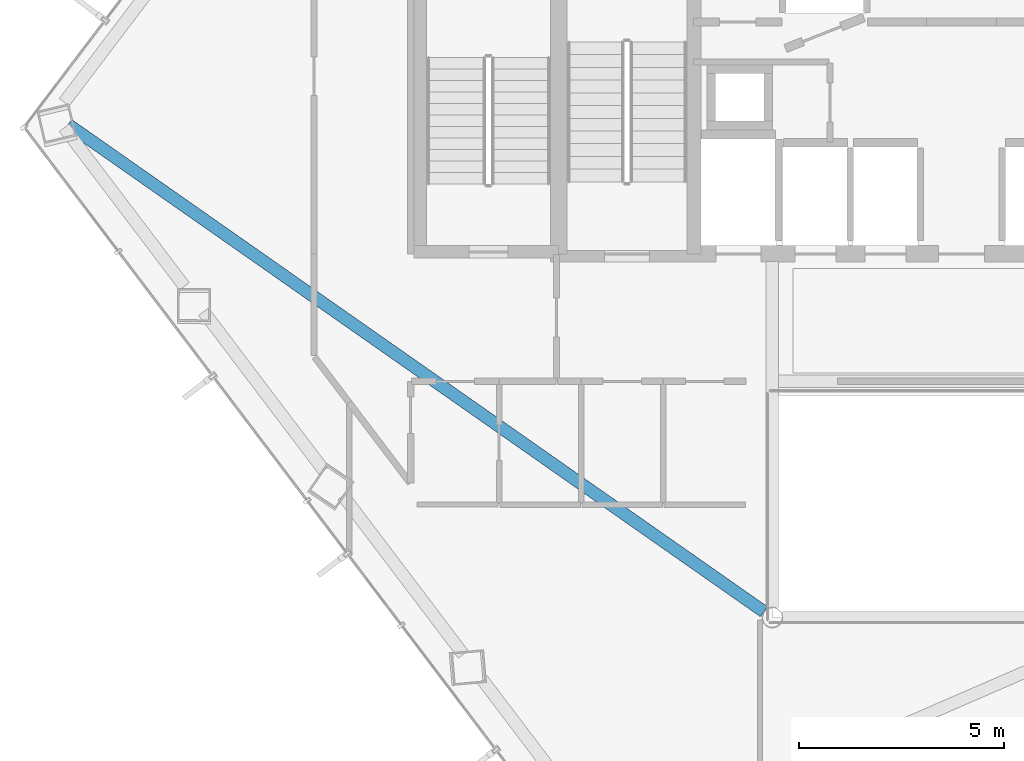
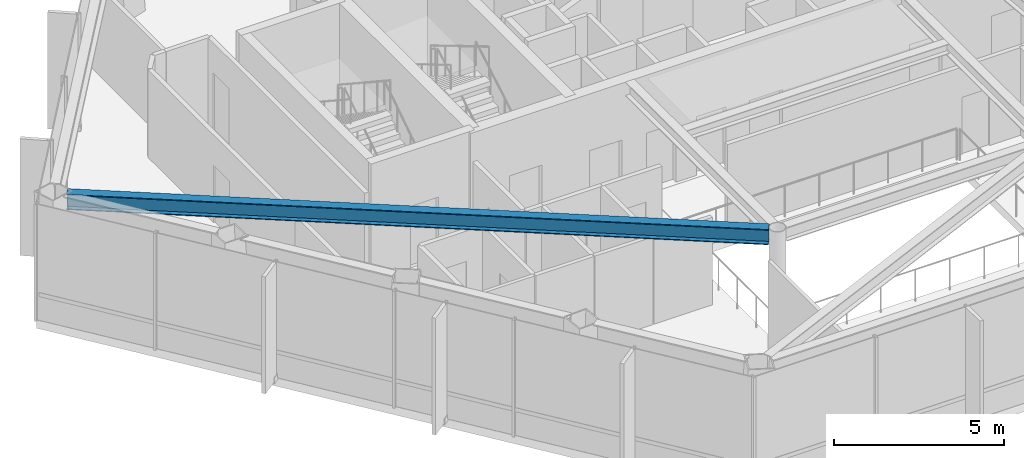
# One storey, part 5 of 25: 1 beam.
"""IFC4 building model written with IfcOpenShell, lengths in metres."""

import ifcopenshell
import ifcopenshell.guid

model = None  # the IFC model being written
_history = None  # IfcOwnerHistory: only IFC2X3 demands one
_inside = {}  # id of a spatial element -> (the spatial element, [elements in it])
_under = {}  # id of a project, library or spatial element -> (it, [spatial elements below it])
_declared = {}  # id of a project -> (the project, [libraries it declares])
_typed = {}  # id of a type object -> (the type object, [elements of that type])
_made_of = {}  # id of a material, layer set ... -> (it, [elements and type objects made of it])


def new_model(schema):
    """Start an empty IFC model of exactly this schema.

    Asked for "IFC4X3", IfcOpenShell would pick the latest addendum, in which some entities
    have other attributes; the version numbers below select the first issue.
    IFC2X3 requires an IfcOwnerHistory on every rooted entity: one is made here for all.
    """
    global model, _history
    if schema == "IFC4X3":
        model = ifcopenshell.file(schema_version=(4, 3, 0, 0))
    else:
        model = ifcopenshell.file(schema=schema)
    _inside.clear()
    _under.clear()
    _declared.clear()
    _typed.clear()
    _made_of.clear()
    _history = None
    if model.schema == "IFC2X3":
        org = make("IfcOrganization", Name="unknown")
        user = make(
            "IfcPersonAndOrganization",
            ThePerson=make("IfcPerson", FamilyName="unknown"),
            TheOrganization=org,
        )
        app = make(
            "IfcApplication",
            ApplicationDeveloper=org,
            Version="unknown",
            ApplicationFullName="unknown",
            ApplicationIdentifier="unknown",
        )
        _history = make(
            "IfcOwnerHistory",
            OwningUser=user,
            OwningApplication=app,
            ChangeAction="ADDED",
            CreationDate=0,
        )
    return model


def make(cls, **values):
    """One entity of the class cls with the attributes given. An attribute that is None is left unset."""
    return model.create_entity(
        cls, **{name: value for name, value in values.items() if value is not None}
    )


def rooted(cls, **values):
    """An entity with a GlobalId (a new one), such as an element, a storey or a relation."""
    return make(cls, GlobalId=ifcopenshell.guid.new(), OwnerHistory=_history, **values)


def si_unit(unit_type, name, prefix=None):
    """IfcSIUnit, for example si_unit("LENGTHUNIT", "METRE", prefix="MILLI")."""
    return make("IfcSIUnit", UnitType=unit_type, Prefix=prefix, Name=name)


def assignment(units):
    """IfcUnitAssignment: the units of a project."""
    return None if units is None else make("IfcUnitAssignment", Units=units)


def point(xyz):
    """IfcCartesianPoint."""
    return None if xyz is None else make("IfcCartesianPoint", Coordinates=xyz)


def direction(xyz):
    """IfcDirection."""
    return None if xyz is None else make("IfcDirection", DirectionRatios=xyz)


def frame(location, z_axis=None, x_axis=None):
    """IfcAxis2Placement3D, a coordinate frame: its origin and axes. An axis left out is left unset."""
    return make(
        "IfcAxis2Placement3D",
        Location=point(location),
        Axis=direction(z_axis),
        RefDirection=direction(x_axis),
    )


def frame_2d(location, x_axis=None):
    """IfcAxis2Placement2D, a coordinate frame in the plane: its origin and x axis."""
    return make(
        "IfcAxis2Placement2D", Location=point(location), RefDirection=direction(x_axis)
    )


def origin():
    """The frame at (0, 0, 0) with its axes left unset."""
    return frame((0.0, 0.0, 0.0))


def origin_2d():
    """The frame at (0, 0) in the plane with its x axis left unset."""
    return frame_2d((0.0, 0.0))


def place(relative_to, where):
    """IfcLocalPlacement: puts the frame where relative to a parent placement (None: the world)."""
    return make(
        "IfcLocalPlacement", PlacementRelTo=relative_to, RelativePlacement=where
    )


def context(
    kind, dimensions, precision=None, world=None, true_north=None, identifier=None
):
    """IfcGeometricRepresentationContext, for example the 3D "Model" context."""
    return make(
        "IfcGeometricRepresentationContext",
        ContextIdentifier=identifier,
        ContextType=kind,
        CoordinateSpaceDimension=dimensions,
        Precision=precision,
        WorldCoordinateSystem=world,
        TrueNorth=true_north,
    )


def subcontext(parent, identifier, kind, view, scale=None):
    """IfcGeometricRepresentationSubContext, for example "Body" below "Model"."""
    return make(
        "IfcGeometricRepresentationSubContext",
        ContextIdentifier=identifier,
        ContextType=kind,
        ParentContext=parent,
        TargetScale=scale,
        TargetView=view,
    )


def project(units=None, contexts=None):
    """IfcProject with its units and contexts."""
    return rooted(
        "IfcProject",
        Name="project",
        RepresentationContexts=contexts,
        UnitsInContext=assignment(units),
    )


def spatial(cls, under=None, at=None, **own):
    """A site, building, storey or space (cls), placed at a placement, below another one or the project."""
    s = rooted(cls, ObjectPlacement=at, **own)
    if under is not None:
        _under.setdefault(under.id(), (under, []))[1].append(s)
    return s


def profile(cls, at=None, kind="AREA", **sizes):
    """A parametric profile (cls). Its sizes go by their IFC names, for example OverallWidth=200.0."""
    return make(cls, ProfileType=kind, Position=at, **sizes)


def i_section(**sizes):
    """IfcIShapeProfileDef."""
    return profile("IfcIShapeProfileDef", **sizes)


def extrude(swept, where, along, depth):
    """IfcExtrudedAreaSolid: the profile swept, set in the frame where, extruded along a direction by depth."""
    return make(
        "IfcExtrudedAreaSolid",
        SweptArea=swept,
        Position=where,
        ExtrudedDirection=direction(along),
        Depth=depth,
    )


def shape(context_of_items, identifier, shape_type, items):
    """IfcShapeRepresentation: the items that make up one representation, for example the "Body"."""
    return make(
        "IfcShapeRepresentation",
        ContextOfItems=context_of_items,
        RepresentationIdentifier=identifier,
        RepresentationType=shape_type,
        Items=items,
    )


def material(Name=None, Category=None):
    """IfcMaterial."""
    return make("IfcMaterial", Name=Name, Category=Category)


def material_profile(
    of_material, cross_section, Name=None, Category=None, Priority=None
):
    """IfcMaterialProfile: a cross section and its material."""
    return make(
        "IfcMaterialProfile",
        Name=Name,
        Material=of_material,
        Profile=cross_section,
        Priority=Priority,
        Category=Category,
    )


def profile_set(profiles, Name=None, composite=None):
    """IfcMaterialProfileSet."""
    return make(
        "IfcMaterialProfileSet",
        Name=Name,
        MaterialProfiles=profiles,
        CompositeProfile=composite,
    )


def made_of(thing, what):
    """Note that an element or type object is made of a material, layer set ...; save() writes the relation."""
    if what is not None:
        _made_of.setdefault(what.id(), (what, []))[1].append(thing)
    return thing


def type_object(cls, material=None, **own):
    """A type object (cls), such as IfcWallType, which elements share."""
    return made_of(rooted(cls, **own), material)


def element(
    cls,
    number,
    at=None,
    inside=None,
    cuts=None,
    type_object=None,
    material=None,
    context=None,
    identifier="Body",
    shape_type=None,
    held_by="IfcProductDefinitionShape",
    body=None,
    shapes=None,
    **own,
):
    """One element of the class cls, such as IfcWall. Its Tag is "e" and its number.

    at: its placement. inside: the storey or other place that contains it. cuts: it is an
    opening in that element (IfcRelVoidsElement). A single representation is given by context,
    identifier, shape_type and body (its items); several are given by shapes. held_by: the class
    of the entity that holds the representations. save() writes the other relations.
    """
    e = rooted(cls, Tag="e%d" % number, ObjectPlacement=at, **own)
    if body is not None:
        shapes = [shape(context, identifier, shape_type, body)]
    if shapes is not None:
        e.Representation = make(held_by, Representations=shapes)
    if inside is not None:
        _inside.setdefault(inside.id(), (inside, []))[1].append(e)
    if cuts is not None:
        rooted(
            "IfcRelVoidsElement", RelatingBuildingElement=cuts, RelatedOpeningElement=e
        )
    if type_object is not None:
        _typed.setdefault(type_object.id(), (type_object, []))[1].append(e)
    return made_of(e, material)


def aggregate(whole, parts):
    """IfcRelAggregates: a whole, such as a stair, and the parts it consists of."""
    return rooted("IfcRelAggregates", RelatingObject=whole, RelatedObjects=parts)


def save(model, path):
    """Write the relations noted so far, then the file.

    IfcRelAggregates (storeys below a building ...), IfcRelContainedInSpatialStructure (elements
    in a storey), IfcRelDefinesByType, IfcRelAssociatesMaterial and IfcRelDeclares: one each for
    every whole, place, type object, material and project.
    """
    for whole, parts in _under.values():
        aggregate(whole, parts)
    for where, things in _inside.values():
        rooted(
            "IfcRelContainedInSpatialStructure",
            RelatedElements=things,
            RelatingStructure=where,
        )
    for kind, things in _typed.values():
        rooted("IfcRelDefinesByType", RelatedObjects=things, RelatingType=kind)
    for what, things in _made_of.values():
        rooted("IfcRelAssociatesMaterial", RelatedObjects=things, RelatingMaterial=what)
    for by, libraries in _declared.values():
        rooted("IfcRelDeclares", RelatingContext=by, RelatedDefinitions=libraries)
    model.write(path)


model = new_model("IFC4")

# Units and contexts
model_context = context("Model", 3, precision=1e-05, world=origin(), true_north=direction((0.0, 1.0)))
body_context = subcontext(model_context, "Body", "Model", "MODEL_VIEW")
ifc_project = project(units=[si_unit("LENGTHUNIT", "METRE"), si_unit("AREAUNIT", "SQUARE_METRE"), si_unit("VOLUMEUNIT", "CUBIC_METRE"), si_unit("PLANEANGLEUNIT", "RADIAN"), si_unit("MASSUNIT", "GRAM", prefix="KILO")], contexts=[model_context])

# Site, building, storey
site_placement = place(None, origin())
site = spatial("IfcSite", under=ifc_project, at=site_placement, CompositionType="ELEMENT")
building_placement = place(site_placement, origin())
building = spatial("IfcBuilding", under=site, at=building_placement, Name="Zarrinselat Tower", CompositionType="ELEMENT")
storey_placement = place(building_placement, frame((0.0, 0.0, 119.0)))
storey = spatial("IfcBuildingStorey", under=building, at=storey_placement, Name="L28", CompositionType="ELEMENT", Elevation=119.0)

# Beam
ifc_material = material(Name="Steel S355J2", Category="steel")
ifc_material_profile = material_profile(ifc_material, i_section(OverallWidth=0.300048828125, OverallDepth=0.550048828125, WebThickness=0.014892578125, FlangeThickness=0.029052734375, at=origin_2d()), Name="HEB 550")
ifc_profile_set = profile_set([ifc_material_profile], Name="Steel S355J2")
beam_type = type_object("IfcBeamType", Name="BM-HEB550", PredefinedType="BEAM", material=ifc_profile_set)
beam_placement = place(storey_placement, frame((16.664306640625, 36.398193359375, 3.905029296875), z_axis=(0.819161437758, -0.573563020854, 0.0), x_axis=(0.573563020854, 0.819161437758, 0.0)))
element("IfcBeam", 1, at=beam_placement, inside=storey, type_object=beam_type, Name="L28 Radial Primary Girder RG06", PredefinedType="BEAM", context=body_context, shape_type="SweptSolid", body=[
    extrude(i_section(OverallWidth=0.300048828125, OverallDepth=0.550048828125, WebThickness=0.014892578125, FlangeThickness=0.029052734375, at=origin_2d()), origin(), (0.0, 0.0, 1.0), 20.668701171875),
])

save(model, "model.ifc")
